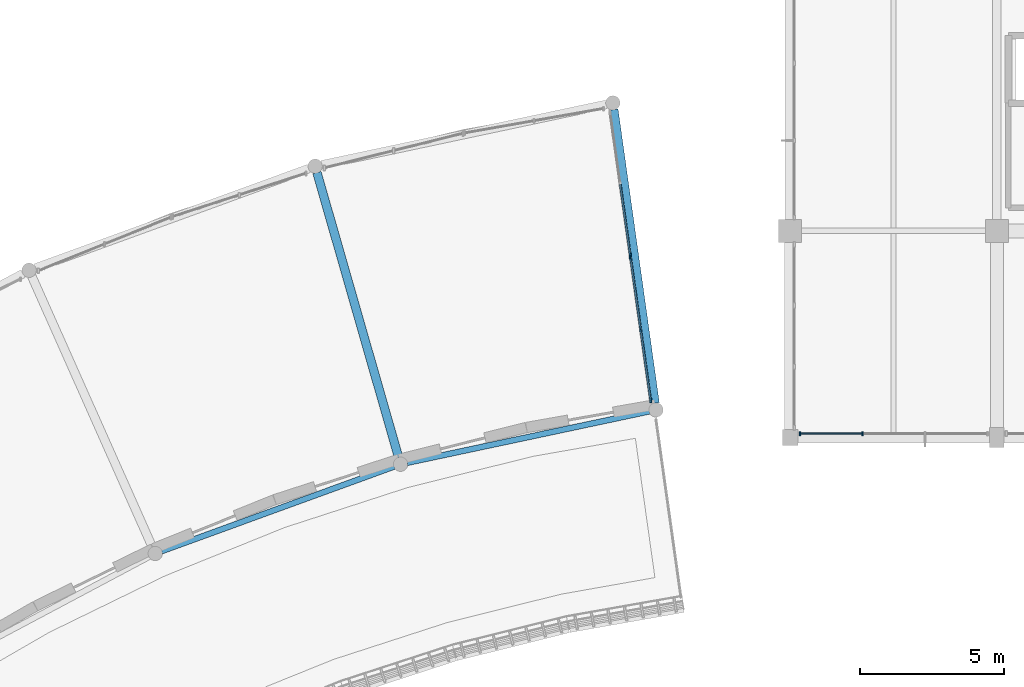
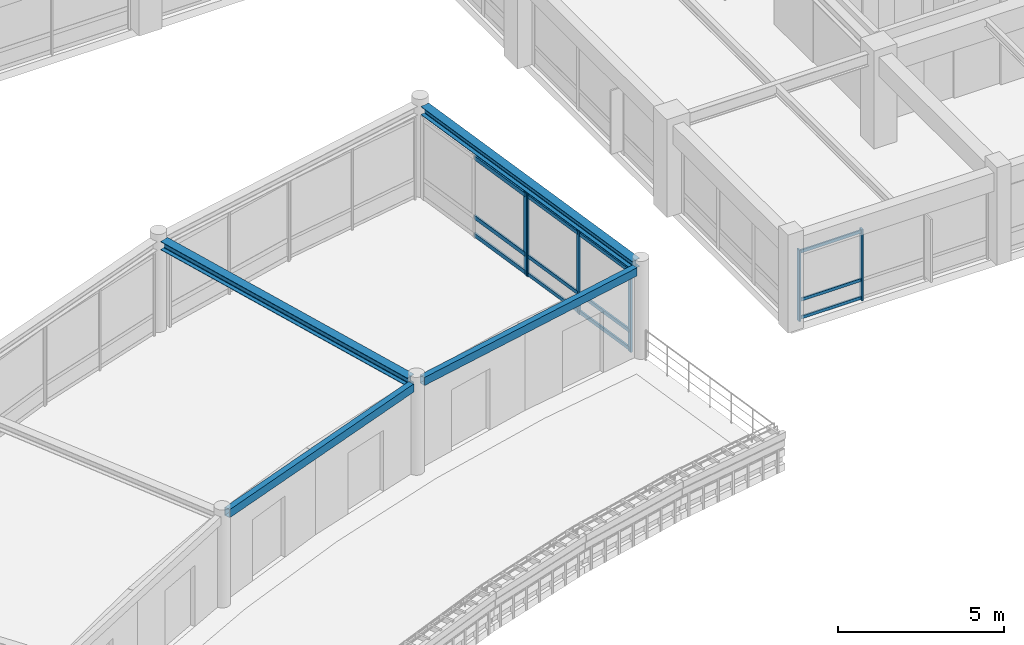
# One storey, part 34 of 74: 18 members, 4 beams, 3 elements without a shape of their own.
"""IFC4 building model written with IfcOpenShell, lengths in metres."""

from ifc_helpers import new_model, si_unit, direction, frame, origin, origin_2d, place, context, subcontext, project, spatial, rectangle, hollow_rectangle, i_section, extrude, material, material_profile, profile_set, type_object, element, aggregate, save


model = new_model("IFC4")

# Units and contexts
model_context = context("Model", 3, precision=1e-05, world=origin(), true_north=direction((0.0, 1.0)))
body_context = subcontext(model_context, "Body", "Model", "MODEL_VIEW")
ifc_project = project(units=[si_unit("LENGTHUNIT", "METRE"), si_unit("AREAUNIT", "SQUARE_METRE"), si_unit("VOLUMEUNIT", "CUBIC_METRE"), si_unit("PLANEANGLEUNIT", "RADIAN"), si_unit("MASSUNIT", "GRAM", prefix="KILO")], contexts=[model_context])

# Site, building, storey
site_placement = place(None, origin())
site = spatial("IfcSite", under=ifc_project, at=site_placement, CompositionType="ELEMENT")
building_placement = place(site_placement, origin())
building = spatial("IfcBuilding", under=site, at=building_placement, Name="Clarverna Civic Hall", CompositionType="ELEMENT")
storey_placement = place(building_placement, frame((0.0, 0.0, 9.60009765625)))
storey = spatial("IfcBuildingStorey", under=building, at=storey_placement, Name="L02", CompositionType="ELEMENT", Elevation=9.60009765625)

# Beams
ifc_material_1 = material(Name="Steel S355", Category="steel")
ifc_material_profile_1 = material_profile(ifc_material_1, hollow_rectangle(XDim=0.199951171875, YDim=0.300048828125, WallThickness=0.010009765625, at=origin_2d()), Name="RHS 300x200x10.0")
ifc_profile_set_1 = profile_set([ifc_material_profile_1], Name="Steel S355")
beam_type_1 = type_object("IfcBeamType", Name="B-ST15", PredefinedType="SPANDREL", material=ifc_profile_set_1)
for number, where, z_axis, x_axis, name in (
    (1, (142.696044921875, 72.5166015625, 3.2099609375), (-0.978148563821, -0.207907159799, 0.0), (0.207907159799, -0.978148563821, 0.0), "B-ST15-019"),
    (2, (133.8076171875, 70.593994140625, 3.2099609375), (-0.939688433927, -0.342031646407, 0.0), (0.342031646407, -0.939688433927, 0.0), "B-ST15-020"),
):
    element("IfcBeam", number, at=place(storey_placement, frame(where, z_axis=z_axis, x_axis=x_axis)), inside=storey, type_object=beam_type_1, Name=name, PredefinedType="SPANDREL", context=body_context, shape_type="SweptSolid", body=[
        extrude(hollow_rectangle(XDim=0.199951171875, YDim=0.300048828125, WallThickness=0.010009765625, at=origin_2d()), origin(), (0.0, 0.0, 1.0), 8.626220703125),
    ])
ifc_material_profile_2 = material_profile(ifc_material_1, i_section(OverallWidth=0.300048828125, OverallDepth=0.31005859375, WebThickness=0.009033203125, FlangeThickness=0.015380859375, FilletRadius=0.027099609375, at=origin_2d()), Name="HEA 320")
ifc_profile_set_2 = profile_set([ifc_material_profile_2], Name="Steel S355")
beam_type_2 = type_object("IfcBeamType", Name="B-ST9", PredefinedType="BEAM", material=ifc_profile_set_2)
for number, where, z_axis, x_axis, name in (
    (3, (142.893310546875, 72.798095703125, 3.204833984375), (-0.139180958318, 0.99026696443, 0.0), (-0.99026696443, -0.139180958318, 0.0), "B-ST9-077"),
    (4, (133.963623046875, 70.900146484375, 3.204833984375), (-0.275619992601, 0.961266674591, 0.0), (-0.961266674591, -0.275619992601, 0.0), "B-ST9-078"),
):
    element("IfcBeam", number, at=place(storey_placement, frame(where, z_axis=z_axis, x_axis=x_axis)), inside=storey, type_object=beam_type_2, Name=name, PredefinedType="BEAM", context=body_context, shape_type="SweptSolid", body=[
        extrude(i_section(OverallWidth=0.300048828125, OverallDepth=0.31005859375, WebThickness=0.009033203125, FlangeThickness=0.015380859375, FilletRadius=0.027099609375, at=origin_2d()), origin(), (0.0, 0.0, 1.0), 10.330078125),
    ])

# Curtain wall, member
ifc_material_2 = material(Name="Anodised Bronze Architectural Aluminium", Category="aluminium")
curtain_wall_type_1 = type_object("IfcCurtainWallType", Name="CW-03", PredefinedType="USERDEFINED", material=ifc_material_2)
curtain_wall_1_placement = place(storey_placement, origin())
curtain_wall_1 = element("IfcCurtainWall", 5, at=curtain_wall_1_placement, inside=storey, type_object=curtain_wall_type_1, Name="CW-03-057", ObjectType="UNITISED CURTAIN WALL", PredefinedType="USERDEFINED")
ifc_material_profile_3 = material_profile(ifc_material_2, rectangle(XDim=0.06005859375, YDim=0.179931640625, at=origin_2d()), Name="BRONZE 60x180")
ifc_profile_set_3 = profile_set([ifc_material_profile_3], Name="Anodised Bronze Architectural Aluminium")
member_type_1 = type_object("IfcMemberType", Name="CWM-01", PredefinedType="MULLION", material=ifc_profile_set_3)
member_1_placement = place(storey_placement, frame((142.031005859375, 77.92626953125, 0.0), z_axis=(0.0, 0.0, 1.0), x_axis=(1.0, 0.0, 0.0)))
member_1 = element("IfcMember", 6, at=member_1_placement, type_object=member_type_1, Name="CWM-01-101", PredefinedType="MULLION", context=body_context, shape_type="SweptSolid", body=[
    extrude(rectangle(XDim=0.06005859375, YDim=0.179931640625, at=origin_2d()), origin(), (0.0, 0.0, 1.0), 3.02978515625),
])

# Curtain wall, members
curtain_wall_2_placement = place(storey_placement, origin())
curtain_wall_2 = element("IfcCurtainWall", 7, at=curtain_wall_2_placement, inside=storey, type_object=curtain_wall_type_1, Name="CW-03-058", ObjectType="UNITISED CURTAIN WALL", PredefinedType="USERDEFINED")
ifc_material_profile_4 = material_profile(ifc_material_2, rectangle(XDim=0.06005859375, YDim=0.159912109375, at=origin_2d()), Name="BRONZE 60x160")
ifc_profile_set_4 = profile_set([ifc_material_profile_4], Name="Anodised Bronze Architectural Aluminium")
member_type_2 = type_object("IfcMemberType", Name="CWM-02", PredefinedType="MULLION", material=ifc_profile_set_4)
member_2_placement = place(storey_placement, frame((142.040283203125, 77.86083984375, 0.0), z_axis=(0.0, 0.0, 1.0), x_axis=(1.0, 0.0, 0.0)))
member_2 = element("IfcMember", 8, at=member_2_placement, type_object=member_type_2, Name="CWM-02-127", PredefinedType="MULLION", context=body_context, shape_type="SweptSolid", body=[
    extrude(rectangle(XDim=0.06005859375, YDim=0.159912109375, at=origin_2d()), origin(), (0.0, 0.0, 1.0), 3.0498046875),
])
member_3_placement = place(storey_placement, frame((142.3896484375, 75.37451171875, 0.0), z_axis=(0.0, 0.0, 1.0), x_axis=(1.0, 0.0, 0.0)))
member_3 = element("IfcMember", 9, at=member_3_placement, type_object=member_type_2, Name="CWM-02-128", PredefinedType="MULLION", context=body_context, shape_type="SweptSolid", body=[
    extrude(rectangle(XDim=0.06005859375, YDim=0.159912109375, at=origin_2d()), origin(), (0.0, 0.0, 1.0), 3.0498046875),
])
member_4_placement = place(storey_placement, frame((142.7392578125, 72.88818359375, 0.0), z_axis=(0.0, 0.0, 1.0), x_axis=(1.0, 0.0, 0.0)))
member_4 = element("IfcMember", 10, at=member_4_placement, type_object=member_type_2, Name="CWM-02-129", PredefinedType="MULLION", context=body_context, shape_type="SweptSolid", body=[
    extrude(rectangle(XDim=0.06005859375, YDim=0.159912109375, at=origin_2d()), origin(), (0.0, 0.0, 1.0), 3.0498046875),
])

curtain_wall_type_2 = type_object("IfcCurtainWallType", Name="CW-01", PredefinedType="USERDEFINED", material=ifc_material_2)
curtain_wall_3_placement = place(storey_placement, origin())
curtain_wall_3 = element("IfcCurtainWall", 11, at=curtain_wall_3_placement, inside=storey, type_object=curtain_wall_type_2, Name="CW-01-046", ObjectType="UNITISED CURTAIN WALL", PredefinedType="USERDEFINED")
ifc_material_profile_5 = material_profile(ifc_material_2, rectangle(XDim=0.054931640625, YDim=0.139892578125, at=origin_2d()), Name="BRONZE 55x140")
ifc_profile_set_5 = profile_set([ifc_material_profile_5], Name="Anodised Bronze Architectural Aluminium")
member_type_3 = type_object("IfcMemberType", Name="CWM-04", PredefinedType="MULLION", material=ifc_profile_set_5)
member_5_placement = place(storey_placement, frame((150.124267578125, 71.739990234375, 0.0), z_axis=(0.0, 0.0, 1.0), x_axis=(1.0, 0.0, 0.0)))
member_5 = element("IfcMember", 12, at=member_5_placement, type_object=member_type_3, Name="CWM-04-116", PredefinedType="MULLION", context=body_context, shape_type="SweptSolid", body=[
    extrude(rectangle(XDim=0.054931640625, YDim=0.139892578125, at=origin_2d()), origin(), (0.0, 0.0, 1.0), 2.619873046875),
])
member_6_placement = place(storey_placement, frame((147.947998046875, 71.739990234375, 0.0), z_axis=(0.0, 0.0, 1.0), x_axis=(1.0, 0.0, 0.0)))
member_6 = element("IfcMember", 13, at=member_6_placement, type_object=member_type_3, Name="CWM-04-117", PredefinedType="MULLION", context=body_context, shape_type="SweptSolid", body=[
    extrude(rectangle(XDim=0.054931640625, YDim=0.139892578125, at=origin_2d()), origin(), (0.0, 0.0, 1.0), 2.619873046875),
])

# Member
ifc_material_profile_6 = material_profile(ifc_material_2, rectangle(XDim=0.06005859375, YDim=0.14990234375, at=origin_2d()), Name="BRONZE 60x150")
ifc_profile_set_6 = profile_set([ifc_material_profile_6], Name="Anodised Bronze Architectural Aluminium")
member_type_4 = type_object("IfcMemberType", Name="CWT-01", PredefinedType="USERDEFINED", material=ifc_profile_set_6)
member_7_placement = place(storey_placement, frame((141.680908203125, 80.4169921875, 0.094970703125), z_axis=(0.139247350511, -0.990257630809, 0.0), x_axis=(0.990257630809, 0.139247350511, 0.0)))
member_7 = element("IfcMember", 14, at=member_7_placement, type_object=member_type_4, Name="CWT-01-211", ObjectType="TRANSOM", PredefinedType="USERDEFINED", context=body_context, shape_type="SweptSolid", body=[
    extrude(rectangle(XDim=0.06005859375, YDim=0.14990234375, at=origin_2d()), origin(), (0.0, 0.0, 1.0), 2.500244140625),
])

member_8_placement = place(storey_placement, frame((141.680908203125, 80.4169921875, 0.75), z_axis=(0.139247350511, -0.990257630809, 0.0), x_axis=(0.990257630809, 0.139247350511, 0.0)))
member_8 = element("IfcMember", 15, at=member_8_placement, type_object=member_type_4, Name="CWT-01-212", ObjectType="TRANSOM", PredefinedType="USERDEFINED", context=body_context, shape_type="SweptSolid", body=[
    extrude(rectangle(XDim=0.06005859375, YDim=0.14990234375, at=origin_2d()), origin(), (0.0, 0.0, 1.0), 2.500244140625),
])

member_9_placement = place(storey_placement, frame((141.680908203125, 80.4169921875, 2.934814453125), z_axis=(0.139247350511, -0.990257630809, 0.0), x_axis=(0.990257630809, 0.139247350511, 0.0)))
member_9 = element("IfcMember", 16, at=member_9_placement, type_object=member_type_4, Name="CWT-01-213", ObjectType="TRANSOM", PredefinedType="USERDEFINED", context=body_context, shape_type="SweptSolid", body=[
    extrude(rectangle(XDim=0.06005859375, YDim=0.14990234375, at=origin_2d()), origin(), (0.0, 0.0, 1.0), 2.500244140625),
])

aggregate(curtain_wall_1, [member_1, member_7, member_8, member_9])

ifc_material_profile_7 = material_profile(ifc_material_2, rectangle(XDim=0.06005859375, YDim=0.1298828125, at=origin_2d()), Name="BRONZE 60x130")
ifc_profile_set_7 = profile_set([ifc_material_profile_7], Name="Anodised Bronze Architectural Aluminium")
member_type_5 = type_object("IfcMemberType", Name="CWT-02", PredefinedType="USERDEFINED", material=ifc_profile_set_7)
member_10_placement = place(storey_placement, frame((142.04248046875, 77.845947265625, 0.094970703125), z_axis=(0.139161338364, -0.990269721795, 0.0), x_axis=(0.990269721795, 0.139161338364, 0.0)))
member_10 = element("IfcMember", 17, at=member_10_placement, type_object=member_type_5, Name="CWT-02-265", ObjectType="TRANSOM", PredefinedType="USERDEFINED", context=body_context, shape_type="SweptSolid", body=[
    extrude(rectangle(XDim=0.06005859375, YDim=0.1298828125, at=origin_2d()), origin(), (0.0, 0.0, 1.0), 2.480712890625),
])

member_11_placement = place(storey_placement, frame((142.04248046875, 77.845947265625, 0.75), z_axis=(0.139161338364, -0.990269721795, 0.0), x_axis=(0.990269721795, 0.139161338364, 0.0)))
member_11 = element("IfcMember", 18, at=member_11_placement, type_object=member_type_5, Name="CWT-02-266", ObjectType="TRANSOM", PredefinedType="USERDEFINED", context=body_context, shape_type="SweptSolid", body=[
    extrude(rectangle(XDim=0.06005859375, YDim=0.1298828125, at=origin_2d()), origin(), (0.0, 0.0, 1.0), 2.480712890625),
])

member_12_placement = place(storey_placement, frame((142.04248046875, 77.845947265625, 2.954833984375), z_axis=(0.139161338364, -0.990269721795, 0.0), x_axis=(0.990269721795, 0.139161338364, 0.0)))
member_12 = element("IfcMember", 19, at=member_12_placement, type_object=member_type_5, Name="CWT-02-267", ObjectType="TRANSOM", PredefinedType="USERDEFINED", context=body_context, shape_type="SweptSolid", body=[
    extrude(rectangle(XDim=0.06005859375, YDim=0.1298828125, at=origin_2d()), origin(), (0.0, 0.0, 1.0), 2.480712890625),
])

member_13_placement = place(storey_placement, frame((142.391845703125, 75.359619140625, 0.094970703125), z_axis=(0.139161338364, -0.990269721795, 0.0), x_axis=(0.990269721795, 0.139161338364, 0.0)))
member_13 = element("IfcMember", 20, at=member_13_placement, type_object=member_type_5, Name="CWT-02-268", ObjectType="TRANSOM", PredefinedType="USERDEFINED", context=body_context, shape_type="SweptSolid", body=[
    extrude(rectangle(XDim=0.06005859375, YDim=0.1298828125, at=origin_2d()), origin(), (0.0, 0.0, 1.0), 2.480712890625),
])

member_14_placement = place(storey_placement, frame((142.391845703125, 75.359619140625, 0.75), z_axis=(0.139161338364, -0.990269721795, 0.0), x_axis=(0.990269721795, 0.139161338364, 0.0)))
member_14 = element("IfcMember", 21, at=member_14_placement, type_object=member_type_5, Name="CWT-02-269", ObjectType="TRANSOM", PredefinedType="USERDEFINED", context=body_context, shape_type="SweptSolid", body=[
    extrude(rectangle(XDim=0.06005859375, YDim=0.1298828125, at=origin_2d()), origin(), (0.0, 0.0, 1.0), 2.480712890625),
])

member_15_placement = place(storey_placement, frame((142.391845703125, 75.359619140625, 2.954833984375), z_axis=(0.139161338364, -0.990269721795, 0.0), x_axis=(0.990269721795, 0.139161338364, 0.0)))
member_15 = element("IfcMember", 22, at=member_15_placement, type_object=member_type_5, Name="CWT-02-270", ObjectType="TRANSOM", PredefinedType="USERDEFINED", context=body_context, shape_type="SweptSolid", body=[
    extrude(rectangle(XDim=0.06005859375, YDim=0.1298828125, at=origin_2d()), origin(), (0.0, 0.0, 1.0), 2.480712890625),
])

aggregate(curtain_wall_2, [member_2, member_3, member_4, member_10, member_11, member_12, member_13, member_14, member_15])

ifc_material_profile_8 = material_profile(ifc_material_2, rectangle(XDim=0.054931640625, YDim=0.110107421875, at=origin_2d()), Name="BRONZE 55x110")
ifc_profile_set_8 = profile_set([ifc_material_profile_8], Name="Anodised Bronze Architectural Aluminium")
member_type_6 = type_object("IfcMemberType", Name="CWT-04", PredefinedType="USERDEFINED", material=ifc_profile_set_8)
member_16_placement = place(storey_placement, frame((150.109375, 71.739990234375, 0.094970703125), z_axis=(-1.0, 0.0, 0.0), x_axis=(0.0, -1.0, 0.0)))
member_16 = element("IfcMember", 23, at=member_16_placement, type_object=member_type_6, Name="CWT-04-244", ObjectType="TRANSOM", PredefinedType="USERDEFINED", context=body_context, shape_type="SweptSolid", body=[
    extrude(rectangle(XDim=0.054931640625, YDim=0.110107421875, at=origin_2d()), origin(), (0.0, 0.0, 1.0), 2.146484375),
])

member_17_placement = place(storey_placement, frame((150.109375, 71.739990234375, 0.75), z_axis=(-1.0, 0.0, 0.0), x_axis=(0.0, -1.0, 0.0)))
member_17 = element("IfcMember", 24, at=member_17_placement, type_object=member_type_6, Name="CWT-04-245", ObjectType="TRANSOM", PredefinedType="USERDEFINED", context=body_context, shape_type="SweptSolid", body=[
    extrude(rectangle(XDim=0.054931640625, YDim=0.110107421875, at=origin_2d()), origin(), (0.0, 0.0, 1.0), 2.146484375),
])

member_18_placement = place(storey_placement, frame((150.109375, 71.739990234375, 2.52490234375), z_axis=(-1.0, 0.0, 0.0), x_axis=(0.0, -1.0, 0.0)))
member_18 = element("IfcMember", 25, at=member_18_placement, type_object=member_type_6, Name="CWT-04-246", ObjectType="TRANSOM", PredefinedType="USERDEFINED", context=body_context, shape_type="SweptSolid", body=[
    extrude(rectangle(XDim=0.054931640625, YDim=0.110107421875, at=origin_2d()), origin(), (0.0, 0.0, 1.0), 2.146484375),
])

aggregate(curtain_wall_3, [member_5, member_6, member_16, member_17, member_18])

save(model, "model.ifc")
